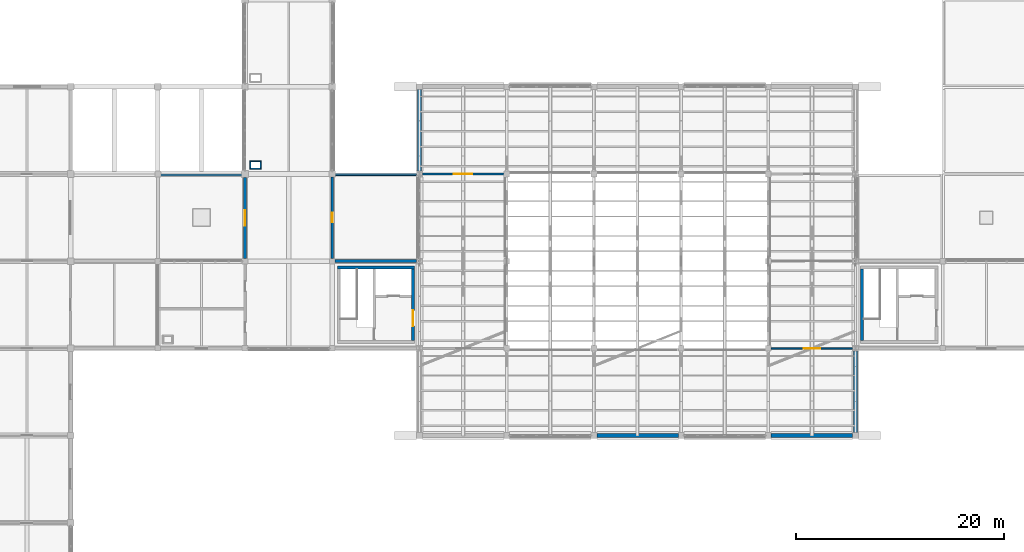
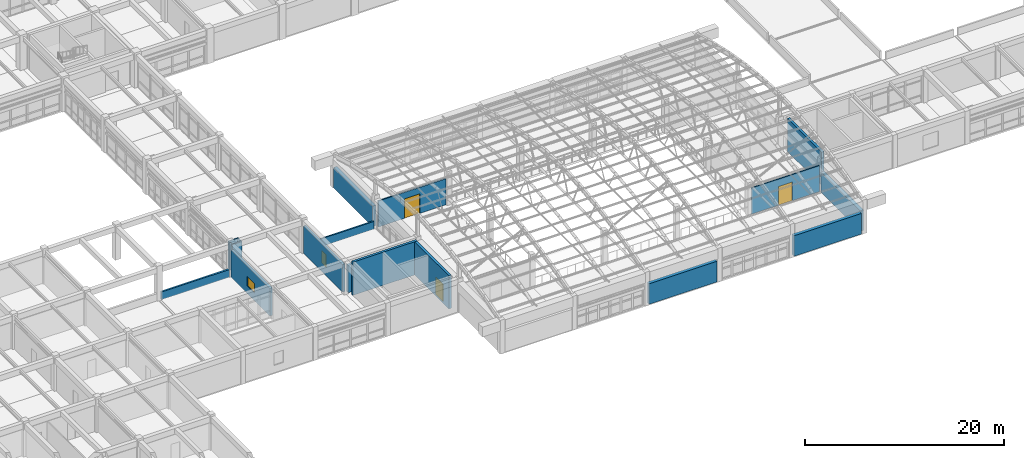
# One storey, part 63 of 74: 18 walls, 3 doors, 2 windows, 5 openings.
"""IFC4 building model written with IfcOpenShell, lengths in metres."""

from ifc_helpers import new_model, si_unit, direction, frame, frame_2d, origin, place, context, subcontext, project, spatial, rectangle, extrude, material, layer, layer_set, type_object, element, fill, save


model = new_model("IFC4")

# Units and contexts
model_context = context("Model", 3, precision=1e-05, world=origin(), true_north=direction((0.0, 1.0)))
body_context = subcontext(model_context, "Body", "Model", "MODEL_VIEW")
ifc_project = project(units=[si_unit("LENGTHUNIT", "METRE"), si_unit("AREAUNIT", "SQUARE_METRE"), si_unit("VOLUMEUNIT", "CUBIC_METRE"), si_unit("PLANEANGLEUNIT", "RADIAN"), si_unit("MASSUNIT", "GRAM", prefix="KILO")], contexts=[model_context])

# Site, building, storey
site_placement = place(None, origin())
site = spatial("IfcSite", under=ifc_project, at=site_placement, CompositionType="ELEMENT")
building_placement = place(site_placement, origin())
building = spatial("IfcBuilding", under=site, at=building_placement, Name="Porcellanite Civic Hall", CompositionType="ELEMENT")
storey_placement = place(building_placement, frame((0.0, 0.0, 14.760009765625)))
storey = spatial("IfcBuildingStorey", under=building, at=storey_placement, Name="L03", CompositionType="ELEMENT", Elevation=14.760009765625)

# Wall
ifc_material_1 = material(Name="Concrete N40 (40 MPa)", Category="concrete")
ifc_layer_1 = layer(ifc_material_1, 0.280029296875)
ifc_layer_set_1 = layer_set([ifc_layer_1], Name="Concrete N40 (40 MPa)")
wall_type_1 = type_object("IfcWallType", Name="CW-SH280", PredefinedType="SHEAR", material=ifc_layer_set_1)
wall_1_placement = place(storey_placement, frame((59.280029296875, 58.179931640625, 0.0), z_axis=(0.0, 0.0, 1.0), x_axis=(1.0, 0.0, 0.0)))
element("IfcWall", 1, at=wall_1_placement, inside=storey, type_object=wall_type_1, Name="Core wall C5 L03 N", PredefinedType="SHEAR", context=body_context, shape_type="SweptSolid", body=[
    extrude(rectangle(XDim=7.43994140625, YDim=0.280029296875, at=frame_2d((3.719970703125, 0.0))), origin(), (0.0, 0.0, 1.0), 4.070068359375),
])

# Wall, opening, door
wall_2_placement = place(storey_placement, frame((66.580078125, 58.0400390625, 0.0), z_axis=(0.0, 0.0, 1.0), x_axis=(0.0, -1.0, 0.0)))
wall_2 = element("IfcWall", 2, at=wall_2_placement, inside=storey, type_object=wall_type_1, Name="Core wall C5 L03 E", PredefinedType="SHEAR", context=body_context, shape_type="SweptSolid", body=[
    extrude(rectangle(XDim=6.880126953125, YDim=0.280029296875, at=frame_2d((3.43994140625, 0.0))), origin(), (0.0, 0.0, 1.0), 4.070068359375),
])
opening_1_placement = place(wall_2_placement, frame((3.989990234375, 0.0, 0.0)))
opening_1 = element("IfcOpeningElement", 3, at=opening_1_placement, cuts=wall_2, Name="Opening FD-C5-L03-LB", PredefinedType="OPENING", context=body_context, shape_type="SweptSolid", body=[
    extrude(rectangle(XDim=1.5, YDim=2.14990234375, at=frame_2d((0.75, 1.074951171875))), frame((0.0, 0.14013671875, 0.0), z_axis=(0.0, -1.0, 0.0), x_axis=(1.0, 0.0, 0.0)), (0.0, 0.0, 1.0), 0.280029296875),
])
ifc_material_2 = material(Name="Fire-rated steel and Georgian wired glass", Category="steel")
door_type_1 = type_object("IfcDoorType", Name="DR-FD150", OperationType="DOUBLE_DOOR_SINGLE_SWING", PredefinedType="DOOR", material=ifc_material_2)
door_1_placement = place(opening_1_placement, origin())
door_1 = element("IfcDoor", 4, at=door_1_placement, inside=storey, type_object=door_type_1, Name="Fire lobby double door FD-C5-L03-LB", OperationType="DOUBLE_DOOR_SINGLE_SWING", OverallHeight=2.14990234375, OverallWidth=1.5, PredefinedType="DOOR", context=body_context, shape_type="SweptSolid", body=[
    extrude(rectangle(XDim=1.5, YDim=2.14990234375, at=frame_2d((0.75, 1.074951171875))), frame((0.0, 0.02490234375, 0.0), z_axis=(0.0, -1.0, 0.0), x_axis=(1.0, 0.0, 0.0)), (0.0, 0.0, 1.0), 0.050048828125),
])
fill(opening_1, door_1)

# Wall
wall_3_placement = place(storey_placement, frame((109.820068359375, 51.159912109375, 0.0), z_axis=(0.0, 0.0, 1.0), x_axis=(0.0, 1.0, 0.0)))
element("IfcWall", 5, at=wall_3_placement, inside=storey, type_object=wall_type_1, Name="Core wall C6 L03 W", PredefinedType="SHEAR", context=body_context, shape_type="SweptSolid", body=[
    extrude(rectangle(XDim=6.880126953125, YDim=0.280029296875, at=frame_2d((3.43994140625, 0.0))), origin(), (0.0, 0.0, 1.0), 4.070068359375),
])

# Wall, opening, window
ifc_material_3 = material(Name="Precast concrete N40 (40 MPa)", Category="concrete")
ifc_layer_2 = layer(ifc_material_3, 0.280029296875)
ifc_layer_set_2 = layer_set([ifc_layer_2], Name="Precast concrete N40 (40 MPa)")
wall_type_2 = type_object("IfcWallType", Name="EW-CLO280", PredefinedType="SOLIDWALL", material=ifc_layer_set_2)
wall_4_placement = place(storey_placement, frame((50.39990234375, 59.075927734375, 0.0), z_axis=(0.0, 0.0, 1.0), x_axis=(0.0, 1.0, 0.0)))
wall_4 = element("IfcWall", 6, at=wall_4_placement, inside=storey, type_object=wall_type_2, Name="Exterior wall L03 W 7-8", PredefinedType="SOLIDWALL", context=body_context, shape_type="SweptSolid", body=[
    extrude(rectangle(XDim=7.798095703125, YDim=0.280029296875, at=frame_2d((3.89892578125, 0.0))), origin(), (0.0, 0.0, 1.0), 3.369873046875),
])
opening_2_placement = place(wall_4_placement, frame((3.14892578125, 0.0, 0.89990234375)))
opening_2 = element("IfcOpeningElement", 7, at=opening_2_placement, cuts=wall_4, Name="Opening W25", PredefinedType="OPENING", context=body_context, shape_type="SweptSolid", body=[
    extrude(rectangle(XDim=1.5, YDim=1.199951171875, at=frame_2d((0.75, 0.60009765625))), frame((0.0, 0.14013671875, 0.0), z_axis=(0.0, -1.0, 0.0), x_axis=(1.0, 0.0, 0.0)), (0.0, 0.0, 1.0), 0.280029296875),
])
ifc_material_4 = material(Name="Cyclone laminated low-E glazing in anodised aluminium frame", Category="aluminium")
window_type_1 = type_object("IfcWindowType", Name="WN-25", PartitioningType="SINGLE_PANEL", PredefinedType="WINDOW", material=ifc_material_4)
window_1_placement = place(opening_2_placement, origin())
window_1 = element("IfcWindow", 8, at=window_1_placement, inside=storey, type_object=window_type_1, Name="Window W25 L03 W 7-8", OverallHeight=1.199951171875, OverallWidth=1.5, PartitioningType="SINGLE_PANEL", PredefinedType="WINDOW", context=body_context, shape_type="SweptSolid", body=[
    extrude(rectangle(XDim=1.5, YDim=1.199951171875, at=frame_2d((0.75, 0.60009765625))), frame((0.0, 0.030029296875, 0.0), z_axis=(0.0, -1.0, 0.0), x_axis=(1.0, 0.0, 0.0)), (0.0, 0.0, 1.0), 0.06005859375),
])
fill(opening_2, window_1)

wall_5_placement = place(storey_placement, frame((58.800048828125, 66.89892578125, 0.0), z_axis=(0.0, 0.0, 1.0), x_axis=(0.0, -1.0, 0.0)))
wall_5 = element("IfcWall", 9, at=wall_5_placement, inside=storey, type_object=wall_type_2, Name="Exterior wall L03 E 7-8", PredefinedType="SOLIDWALL", context=body_context, shape_type="SweptSolid", body=[
    extrude(rectangle(XDim=7.822998046875, YDim=0.280029296875, at=frame_2d((3.91162109375, 0.0))), origin(), (0.0, 0.0, 1.0), 3.369873046875),
])
opening_3_placement = place(wall_5_placement, frame((3.4619140625, 0.0, 0.89990234375)))
opening_3 = element("IfcOpeningElement", 10, at=opening_3_placement, cuts=wall_5, Name="Opening W26", PredefinedType="OPENING", context=body_context, shape_type="SweptSolid", body=[
    extrude(rectangle(XDim=0.89990234375, YDim=1.5, at=frame_2d((0.449951171875, 0.75))), frame((0.0, 0.14013671875, 0.0), z_axis=(0.0, -1.0, 0.0), x_axis=(1.0, 0.0, 0.0)), (0.0, 0.0, 1.0), 0.280029296875),
])
ifc_material_5 = material(Name="Cyclone laminated low-E glazing in anodised aluminium frame", Category="aluminium")
window_type_2 = type_object("IfcWindowType", Name="WN-26", PartitioningType="SINGLE_PANEL", PredefinedType="WINDOW", material=ifc_material_5)
window_2_placement = place(opening_3_placement, origin())
window_2 = element("IfcWindow", 11, at=window_2_placement, inside=storey, type_object=window_type_2, Name="Window W26 L03 E 7-8", OverallHeight=1.5, OverallWidth=0.89990234375, PartitioningType="SINGLE_PANEL", PredefinedType="WINDOW", context=body_context, shape_type="SweptSolid", body=[
    extrude(rectangle(XDim=0.89990234375, YDim=1.5, at=frame_2d((0.449951171875, 0.75))), frame((0.0, 0.030029296875, 0.0), z_axis=(0.0, -1.0, 0.0), x_axis=(1.0, 0.0, 0.0)), (0.0, 0.0, 1.0), 0.06005859375),
])
fill(opening_3, window_2)

# Walls
wall_6_placement = place(storey_placement, frame((59.075927734375, 58.800048828125, 0.0), z_axis=(0.0, 0.0, 1.0), x_axis=(1.0, 0.0, 0.0)))
element("IfcWall", 12, at=wall_6_placement, inside=storey, type_object=wall_type_2, Name="Exterior wall L03 N 8-7", PredefinedType="SOLIDWALL", context=body_context, shape_type="SweptSolid", body=[
    extrude(rectangle(XDim=7.84814453125, YDim=0.280029296875, at=frame_2d((3.924072265625, 0.0))), origin(), (0.0, 0.0, 1.0), 3.369873046875),
])
ifc_material_6 = material(Name="Precast concrete N40 (40 MPa)", Category="concrete")
ifc_layer_3 = layer(ifc_material_6, 0.3798828125)
ifc_layer_set_3 = layer_set([ifc_layer_3], Name="Precast concrete N40 (40 MPa)")
wall_type_3 = type_object("IfcWallType", Name="EW-DRUM380", PredefinedType="SOLIDWALL", material=ifc_layer_set_3)
wall_7_placement = place(storey_placement, frame((67.199951171875, 67.47607421875, 0.0), z_axis=(0.0, 0.0, 1.0), x_axis=(0.0, 1.0, 0.0)))
element("IfcWall", 13, at=wall_7_placement, inside=storey, type_object=wall_type_3, Name="Exterior wall L03 W 9-9", PredefinedType="SOLIDWALL", context=body_context, shape_type="SweptSolid", body=[
    extrude(rectangle(XDim=7.847900390625, YDim=0.3798828125, at=frame_2d((3.923828125, 0.0))), origin(), (0.0, 0.0, 1.0), 2.52001953125),
])
for number, where, z_axis, x_axis, name in (
    (14, (92.1240234375, 42.0, 0.0), (0.0, 0.0, 1.0), (-1.0, 0.0, 0.0), "Exterior wall L03 S 11-6"),
    (15, (108.924072265625, 42.0, 0.0), (0.0, 0.0, 1.0), (-1.0, 0.0, 0.0), "Exterior wall L03 S 13-6"),
    (16, (109.199951171875, 50.1240234375, 0.0), (0.0, 0.0, 1.0), (0.0, -1.0, 0.0), "Exterior wall L03 E 13-6"),
):
    element("IfcWall", number, at=place(storey_placement, frame(where, z_axis=z_axis, x_axis=x_axis)), inside=storey, type_object=wall_type_3, Name=name, PredefinedType="SOLIDWALL", context=body_context, shape_type="SweptSolid", body=[
        extrude(rectangle(XDim=7.84814453125, YDim=0.3798828125, at=frame_2d((3.924072265625, 0.0))), origin(), (0.0, 0.0, 1.0), 2.52001953125),
    ])
ifc_material_7 = material(Name="Fire-rated shaftwall plasterboard on steel studs", Category="steel")
ifc_layer_4 = layer(ifc_material_7, 0.117919921875)
ifc_layer_set_4 = layer_set([ifc_layer_4], Name="Fire-rated shaftwall plasterboard on steel studs")
wall_type_4 = type_object("IfcWallType", Name="IW-FR118", PredefinedType="PARTITIONING", material=ifc_layer_set_4)
for number, where, z_axis, x_axis, name in (
    (17, (50.83203125, 67.69091796875, 0.0), (0.0, 0.0, 1.0), (1.0, 0.0, 0.0), "Fire riser shaftwall S L03 6-8"),
    (18, (50.83203125, 68.408935546875, 0.0), (0.0, 0.0, 1.0), (1.0, 0.0, 0.0), "Fire riser shaftwall N L03 6-8"),
):
    element("IfcWall", number, at=place(storey_placement, frame(where, z_axis=z_axis, x_axis=x_axis)), inside=storey, type_object=wall_type_4, Name=name, PredefinedType="PARTITIONING", context=body_context, shape_type="SweptSolid", body=[
        extrude(rectangle(XDim=1.135986328125, YDim=0.117919921875, at=frame_2d((0.56787109375, 0.0))), origin(), (0.0, 0.0, 1.0), 3.35009765625),
    ])
for number, where, z_axis, x_axis, name in (
    (19, (50.89111328125, 67.75, 0.0), (0.0, 0.0, 1.0), (0.0, 1.0, 0.0), "Fire riser shaftwall W L03 6-8"),
    (20, (51.908935546875, 67.75, 0.0), (0.0, 0.0, 1.0), (0.0, 1.0, 0.0), "Fire riser shaftwall E L03 6-8"),
):
    element("IfcWall", number, at=place(storey_placement, frame(where, z_axis=z_axis, x_axis=x_axis)), inside=storey, type_object=wall_type_4, Name=name, PredefinedType="PARTITIONING", context=body_context, shape_type="SweptSolid", body=[
        extrude(rectangle(XDim=0.60009765625, YDim=0.117919921875, at=frame_2d((0.300048828125, 0.0))), origin(), (0.0, 0.0, 1.0), 3.35009765625),
    ])

# Wall, opening, door
ifc_material_8 = material(Name="Insulated acoustic plasterboard on light-gauge steel studs", Category="steel")
ifc_layer_5 = layer(ifc_material_8, 0.14501953125)
ifc_layer_set_5 = layer_set([ifc_layer_5], Name="Insulated acoustic plasterboard on light-gauge steel studs")
wall_type_5 = type_object("IfcWallType", Name="IW-PT145", PredefinedType="PARTITIONING", material=ifc_layer_set_5)
wall_8_placement = place(storey_placement, frame((101.076904296875, 50.39990234375, 0.0), z_axis=(0.0, 0.0, 1.0), x_axis=(1.0, 0.0, 0.0)))
wall_8 = element("IfcWall", 21, at=wall_8_placement, inside=storey, type_object=wall_type_5, Name="Partition L03 H 13-6", PredefinedType="PARTITIONING", context=body_context, shape_type="SweptSolid", body=[
    extrude(rectangle(XDim=7.84619140625, YDim=0.14501953125, at=frame_2d((3.923095703125, 0.0))), origin(), (0.0, 0.0, 1.0), 3.18994140625),
])
opening_4_placement = place(wall_8_placement, frame((3.123046875, 0.0, 0.0)))
opening_4 = element("IfcOpeningElement", 22, at=opening_4_placement, cuts=wall_8, Name="Opening D-L03-422", PredefinedType="OPENING", context=body_context, shape_type="SweptSolid", body=[
    extrude(rectangle(XDim=1.60009765625, YDim=2.300048828125, at=frame_2d((0.800048828125, 1.14990234375))), frame((0.0, 0.072509765625, 0.0), z_axis=(0.0, -1.0, 0.0), x_axis=(1.0, 0.0, 0.0)), (0.0, 0.0, 1.0), 0.14501953125),
])
ifc_material_9 = material(Name="Acoustic spotted-gum timber and safety glass", Category="wood")
door_type_2 = type_object("IfcDoorType", Name="DR-AS160", OperationType="DOUBLE_DOOR_SINGLE_SWING", PredefinedType="DOOR", material=ifc_material_9)
door_2_placement = place(opening_4_placement, origin())
door_2 = element("IfcDoor", 23, at=door_2_placement, inside=storey, type_object=door_type_2, Name="Interior door D-L03-422", OperationType="DOUBLE_DOOR_SINGLE_SWING", OverallHeight=2.300048828125, OverallWidth=1.60009765625, PredefinedType="DOOR", context=body_context, shape_type="SweptSolid", body=[
    extrude(rectangle(XDim=1.60009765625, YDim=2.300048828125, at=frame_2d((0.800048828125, 1.14990234375))), frame((0.0, 0.02490234375, 0.0), z_axis=(0.0, -1.0, 0.0), x_axis=(1.0, 0.0, 0.0)), (0.0, 0.0, 1.0), 0.050048828125),
])
fill(opening_4, door_2)

ifc_material_10 = material(Name="Insulated acoustic plasterboard on light-gauge steel studs", Category="steel")
ifc_layer_6 = layer(ifc_material_10, 0.1650390625)
ifc_layer_set_6 = layer_set([ifc_layer_6], Name="Insulated acoustic plasterboard on light-gauge steel studs")
wall_type_6 = type_object("IfcWallType", Name="IW-PT165", PredefinedType="PARTITIONING", material=ifc_layer_set_6)
wall_9_placement = place(storey_placement, frame((67.47705078125, 67.199951171875, 0.0), z_axis=(0.0, 0.0, 1.0), x_axis=(1.0, 0.0, 0.0)))
wall_9 = element("IfcWall", 24, at=wall_9_placement, inside=storey, type_object=wall_type_6, Name="Partition L03 H 9-8", PredefinedType="PARTITIONING", context=body_context, shape_type="SweptSolid", body=[
    extrude(rectangle(XDim=7.845947265625, YDim=0.1650390625, at=frame_2d((3.9228515625, 0.0))), origin(), (0.0, 0.0, 1.0), 3.18994140625),
])
opening_5_placement = place(wall_9_placement, frame((3.02294921875, 0.0, 0.0)))
opening_5 = element("IfcOpeningElement", 25, at=opening_5_placement, cuts=wall_9, Name="Opening D-L03-420", PredefinedType="OPENING", context=body_context, shape_type="SweptSolid", body=[
    extrude(rectangle(XDim=1.800048828125, YDim=2.39990234375, at=frame_2d((0.89990234375, 1.199951171875))), frame((0.0, 0.08251953125, 0.0), z_axis=(0.0, -1.0, 0.0), x_axis=(1.0, 0.0, 0.0)), (0.0, 0.0, 1.0), 0.1650390625),
])
ifc_material_11 = material(Name="Acoustic spotted-gum timber and safety glass", Category="wood")
door_type_3 = type_object("IfcDoorType", Name="DR-AS180", OperationType="DOUBLE_DOOR_SINGLE_SWING", PredefinedType="DOOR", material=ifc_material_11)
door_3_placement = place(opening_5_placement, origin())
door_3 = element("IfcDoor", 26, at=door_3_placement, inside=storey, type_object=door_type_3, Name="Interior door D-L03-420", OperationType="DOUBLE_DOOR_SINGLE_SWING", OverallHeight=2.39990234375, OverallWidth=1.800048828125, PredefinedType="DOOR", context=body_context, shape_type="SweptSolid", body=[
    extrude(rectangle(XDim=1.800048828125, YDim=2.39990234375, at=frame_2d((0.89990234375, 1.199951171875))), frame((0.0, 0.02490234375, 0.0), z_axis=(0.0, -1.0, 0.0), x_axis=(1.0, 0.0, 0.0)), (0.0, 0.0, 1.0), 0.050048828125),
])
fill(opening_5, door_3)

# Walls
ifc_material_12 = material(Name="Precast concrete N40 (40 MPa)", Category="concrete")
ifc_layer_7 = layer(ifc_material_12, 0.2099609375)
ifc_layer_set_7 = layer_set([ifc_layer_7], Name="Precast concrete N40 (40 MPa)")
wall_type_7 = type_object("IfcWallType", Name="WP-PAR3", PredefinedType="PARAPET", material=ifc_layer_set_7)
wall_10_placement = place(storey_placement, frame((42.260009765625, 67.094970703125, 0.0), z_axis=(0.0, 0.0, 1.0), x_axis=(1.0, 0.0, 0.0)))
element("IfcWall", 27, at=wall_10_placement, inside=storey, type_object=wall_type_7, Name="Roof parapet L03 N 6-8", PredefinedType="PARAPET", context=body_context, shape_type="SweptSolid", body=[
    extrude(rectangle(XDim=7.8798828125, YDim=0.2099609375, at=frame_2d((3.93994140625, 0.0))), origin(), (0.0, 0.0, 1.0), 0.949951171875),
])
ifc_material_13 = material(Name="Precast concrete N40 (40 MPa)", Category="concrete")
ifc_layer_8 = layer(ifc_material_13, 0.169921875)
ifc_layer_set_8 = layer_set([ifc_layer_8], Name="Precast concrete N40 (40 MPa)")
wall_type_8 = type_object("IfcWallType", Name="WP-PAR5", PredefinedType="PARAPET", material=ifc_layer_set_8)
wall_11_placement = place(storey_placement, frame((59.06005859375, 67.114990234375, 0.0), z_axis=(0.0, 0.0, 1.0), x_axis=(1.0, 0.0, 0.0)))
element("IfcWall", 28, at=wall_11_placement, inside=storey, type_object=wall_type_8, Name="Roof parapet L03 N 8-8", PredefinedType="PARAPET", context=body_context, shape_type="SweptSolid", body=[
    extrude(rectangle(XDim=7.8798828125, YDim=0.169921875, at=frame_2d((3.93994140625, 0.0))), origin(), (0.0, 0.0, 1.0), 0.949951171875),
])

save(model, "model.ifc")
